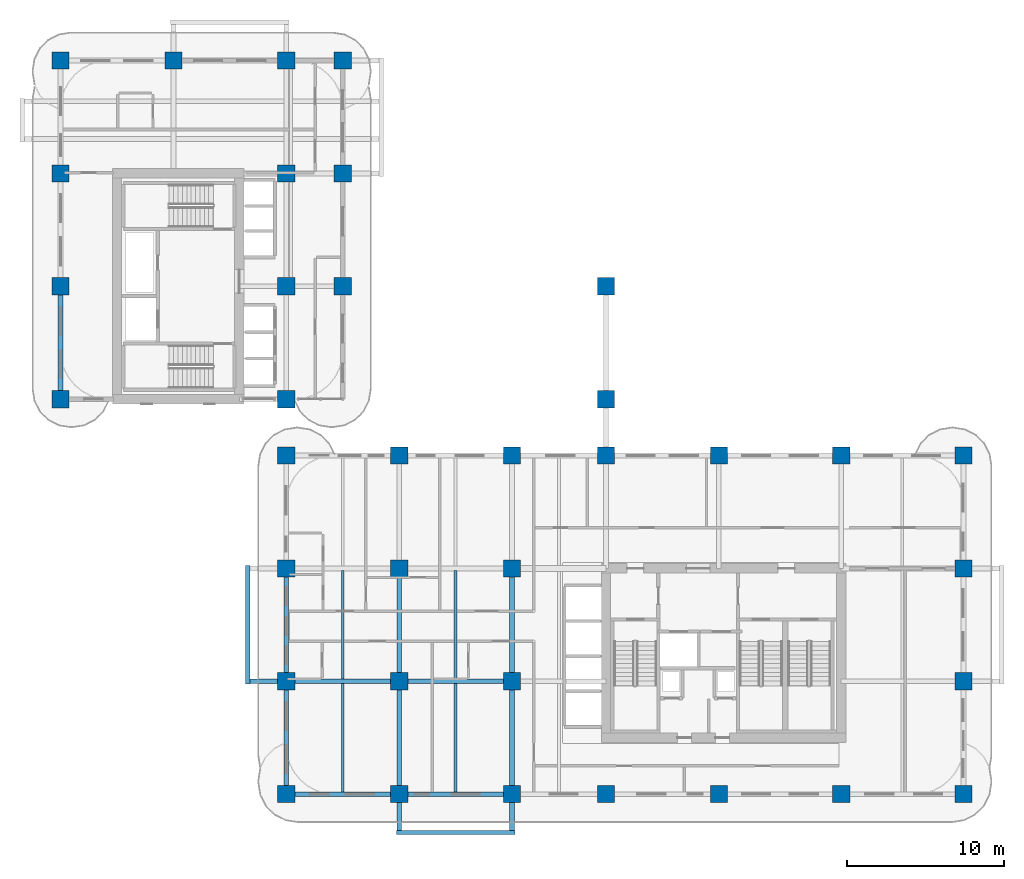
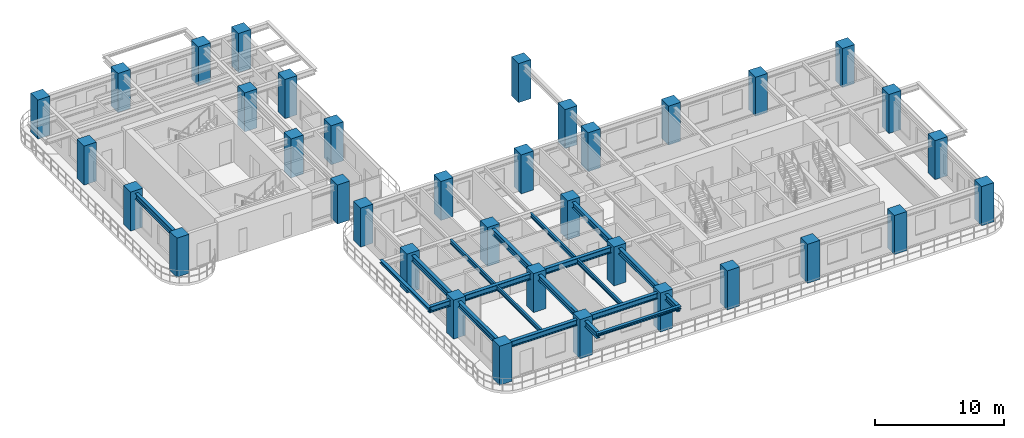
# One storey, part 1 of 19: 36 columns, 17 beams.
"""IFC4 building model written with IfcOpenShell, lengths in metres."""

from ifc_helpers import new_model, si_unit, derived_unit, direction, frame, origin, origin_2d, place, context, subcontext, project, spatial, rectangle, i_section, extrude, source, transform, mapped, material, material_profile, profile_set, type_object, type_shapes, element, save


model = new_model("IFC4")

# Units and contexts
model_context = context("Model", 3, precision=1e-05, world=origin(), true_north=direction((0.0, 1.0)))
body_context = subcontext(model_context, "Body", "Model", "MODEL_VIEW")
ifc_project = project(units=[si_unit("LENGTHUNIT", "METRE"), si_unit("AREAUNIT", "SQUARE_METRE"), si_unit("VOLUMEUNIT", "CUBIC_METRE"), si_unit("PLANEANGLEUNIT", "RADIAN"), si_unit("MASSUNIT", "GRAM", prefix="KILO"), si_unit("THERMODYNAMICTEMPERATUREUNIT", "KELVIN"), si_unit("POWERUNIT", "WATT"), derived_unit("THERMALTRANSMITTANCEUNIT", [(si_unit("POWERUNIT", "WATT"), 1), (si_unit("AREAUNIT", "SQUARE_METRE"), -1), (si_unit("THERMODYNAMICTEMPERATUREUNIT", "KELVIN"), -1)])], contexts=[model_context])

# Site, building, storey
site_placement = place(None, origin())
site = spatial("IfcSite", under=ifc_project, at=site_placement, CompositionType="ELEMENT")
building_placement = place(site_placement, origin())
building = spatial("IfcBuilding", under=site, at=building_placement, Name="Zahravan Archway Hotel and Residences", CompositionType="ELEMENT")
storey_placement = place(building_placement, frame((0.0, 0.0, 43.5)))
storey = spatial("IfcBuildingStorey", under=building, at=storey_placement, Name="L09", CompositionType="ELEMENT", Elevation=43.5)

# Columns
ifc_material_1 = material(Name="Concrete C70/85", Category="concrete")
ifc_material_profile_1 = material_profile(ifc_material_1, rectangle(XDim=1.10009765625, YDim=1.10009765625, at=origin_2d()), Name="RC 1100x1100", Category="concrete")
ifc_profile_set_1 = profile_set([ifc_material_profile_1], Name="Concrete C70/85")
column_type = type_object("IfcColumnType", Name="COL-RC-1100", PredefinedType="COLUMN", material=ifc_profile_set_1)
shared_shape_1 = source(origin(), body_context, "Body", "SweptSolid", [
    extrude(rectangle(XDim=1.10009765625, YDim=1.10009765625, at=origin_2d()), origin(), (0.0, 0.0, 1.0), 3.699951171875),
])
for number, where, z_axis, x_axis, name in (
    (1, (0.0, 25.199951171875, 0.0), (0.0, 0.0, 1.0), (1.0, 0.0, 0.0), "L09 Column 1-E"),
    (2, (0.0, 32.39990234375, 0.0), (0.0, 0.0, 1.0), (1.0, 0.0, 0.0), "L09 Column 1-F"),
    (3, (0.0, 39.60009765625, 0.0), (0.0, 0.0, 1.0), (1.0, 0.0, 0.0), "L09 Column 1-G"),
    (4, (0.0, 46.800048828125, 0.0), (0.0, 0.0, 1.0), (1.0, 0.0, 0.0), "L09 Column 1-H"),
    (5, (7.199951171875, 46.800048828125, 0.0), (0.0, 0.0, 1.0), (1.0, 0.0, 0.0), "L09 Column 2-H"),
    (6, (14.39990234375, 0.0, 0.0), (0.0, 0.0, 1.0), (1.0, 0.0, 0.0), "L09 Column 3-A"),
    (7, (14.39990234375, 7.199951171875, 0.0), (0.0, 0.0, 1.0), (1.0, 0.0, 0.0), "L09 Column 3-B"),
    (8, (14.39990234375, 14.39990234375, 0.0), (0.0, 0.0, 1.0), (1.0, 0.0, 0.0), "L09 Column 3-C"),
    (9, (14.39990234375, 21.60009765625, 0.0), (0.0, 0.0, 1.0), (1.0, 0.0, 0.0), "L09 Column 3-D"),
    (10, (14.39990234375, 25.199951171875, 0.0), (0.0, 0.0, 1.0), (1.0, 0.0, 0.0), "L09 Column 3-E"),
    (11, (14.39990234375, 32.39990234375, 0.0), (0.0, 0.0, 1.0), (1.0, 0.0, 0.0), "L09 Column 3-F"),
    (12, (14.39990234375, 39.60009765625, 0.0), (0.0, 0.0, 1.0), (1.0, 0.0, 0.0), "L09 Column 3-G"),
    (13, (14.39990234375, 46.800048828125, 0.0), (0.0, 0.0, 1.0), (1.0, 0.0, 0.0), "L09 Column 3-H"),
    (14, (21.60009765625, 0.0, 0.0), (0.0, 0.0, 1.0), (1.0, 0.0, 0.0), "L09 Column 4-A"),
    (15, (21.60009765625, 7.199951171875, 0.0), (0.0, 0.0, 1.0), (1.0, 0.0, 0.0), "L09 Column 4-B"),
    (16, (21.60009765625, 14.39990234375, 0.0), (0.0, 0.0, 1.0), (1.0, 0.0, 0.0), "L09 Column 4-C"),
    (17, (21.60009765625, 21.60009765625, 0.0), (0.0, 0.0, 1.0), (1.0, 0.0, 0.0), "L09 Column 4-D"),
    (18, (28.800048828125, 0.0, 0.0), (0.0, 0.0, 1.0), (1.0, 0.0, 0.0), "L09 Column 5-A"),
    (19, (28.800048828125, 7.199951171875, 0.0), (0.0, 0.0, 1.0), (1.0, 0.0, 0.0), "L09 Column 5-B"),
    (20, (28.800048828125, 14.39990234375, 0.0), (0.0, 0.0, 1.0), (1.0, 0.0, 0.0), "L09 Column 5-C"),
    (21, (28.800048828125, 21.60009765625, 0.0), (0.0, 0.0, 1.0), (1.0, 0.0, 0.0), "L09 Column 5-D"),
    (22, (34.800048828125, 0.0, 0.0), (0.0, 0.0, 1.0), (1.0, 0.0, 0.0), "L09 Column 6-A"),
    (23, (34.800048828125, 21.60009765625, 0.0), (0.0, 0.0, 1.0), (1.0, 0.0, 0.0), "L09 Column 6-D"),
    (24, (42.0, 0.0, 0.0), (0.0, 0.0, 1.0), (1.0, 0.0, 0.0), "L09 Column 7-A"),
    (25, (42.0, 21.60009765625, 0.0), (0.0, 0.0, 1.0), (1.0, 0.0, 0.0), "L09 Column 7-D"),
    (26, (49.800048828125, 0.0, 0.0), (0.0, 0.0, 1.0), (1.0, 0.0, 0.0), "L09 Column 8-A"),
    (27, (49.800048828125, 21.60009765625, 0.0), (0.0, 0.0, 1.0), (1.0, 0.0, 0.0), "L09 Column 8-D"),
    (28, (57.60009765625, 0.0, 0.0), (0.0, 0.0, 1.0), (1.0, 0.0, 0.0), "L09 Column 9-A"),
    (29, (57.60009765625, 7.199951171875, 0.0), (0.0, 0.0, 1.0), (1.0, 0.0, 0.0), "L09 Column 9-B"),
    (30, (57.60009765625, 14.39990234375, 0.0), (0.0, 0.0, 1.0), (1.0, 0.0, 0.0), "L09 Column 9-C"),
    (31, (57.60009765625, 21.60009765625, 0.0), (0.0, 0.0, 1.0), (1.0, 0.0, 0.0), "L09 Column 9-D"),
    (32, (18.0, 32.39990234375, 0.0), (0.0, 0.0, 1.0), (1.0, 0.0, 0.0), "L09 Column 3B-F"),
    (33, (18.0, 39.60009765625, 0.0), (0.0, 0.0, 1.0), (1.0, 0.0, 0.0), "L09 Column 3B-G"),
    (34, (18.0, 46.800048828125, 0.0), (0.0, 0.0, 1.0), (1.0, 0.0, 0.0), "L09 Column 3B-H"),
    (35, (34.800048828125, 25.199951171875, 0.0), (0.0, 0.0, 1.0), (1.0, 0.0, 0.0), "L09 Column 6-E"),
    (36, (34.800048828125, 32.39990234375, 0.0), (0.0, 0.0, 1.0), (1.0, 0.0, 0.0), "L09 Column 6-F"),
):
    element("IfcColumn", number, at=place(storey_placement, frame(where, z_axis=z_axis, x_axis=x_axis)), inside=storey, type_object=column_type, Name=name, PredefinedType="COLUMN", context=body_context, shape_type="MappedRepresentation", body=[
        mapped(shared_shape_1, transform((0.0, 0.0, 0.0), scale=1.0)),
    ])

# Beams
ifc_material_2 = material(Name="Structural Steel S355JR", Category="steel")
ifc_material_profile_2 = material_profile(ifc_material_2, i_section(OverallWidth=0.280029296875, OverallDepth=0.280029296875, WebThickness=0.010498046875, FlangeThickness=0.01806640625, FilletRadius=0.02392578125, at=origin_2d()), Name="HEB 280", Category="steel")
ifc_profile_set_2 = profile_set([ifc_material_profile_2], Name="Structural Steel S355JR")
beam_type_1 = type_object("IfcBeamType", Name="BM-SPN-HEB280", PredefinedType="SPANDREL", material=ifc_profile_set_2)
shared_shape_2 = source(origin(), body_context, "Body", "SweptSolid", [
    extrude(i_section(OverallWidth=0.280029296875, OverallDepth=0.280029296875, WebThickness=0.010498046875, FlangeThickness=0.01806640625, FilletRadius=0.02392578125, at=origin_2d()), origin(), (0.0, 0.0, 1.0), 7.56005859375),
])
type_shapes(beam_type_1, [shared_shape_2])
for number, where, z_axis, x_axis, name in (
    (37, (11.949951171875, 7.02001953125, 3.31005859375), (0.0, 1.0, 0.0), (-1.0, 0.0, 0.0), "L10 WA Balcony Edge Spandrel"),
    (38, (21.419921875, -2.449951171875, 3.31005859375), (1.0, 0.0, 0.0), (0.0, 1.0, 0.0), "L10 SA Balcony Edge Spandrel"),
):
    element("IfcBeam", number, at=place(storey_placement, frame(where, z_axis=z_axis, x_axis=x_axis)), inside=storey, type_object=beam_type_1, Name=name, PredefinedType="SPANDREL", context=body_context, shape_type="MappedRepresentation", body=[
        mapped(shared_shape_2, transform((0.0, 0.0, 0.0), scale=1.0)),
    ])
ifc_material_profile_3 = material_profile(ifc_material_2, i_section(OverallWidth=0.300048828125, OverallDepth=0.550048828125, WebThickness=0.014892578125, FlangeThickness=0.029052734375, FilletRadius=0.027099609375, at=origin_2d()), Name="HEB 550", Category="steel")
ifc_profile_set_3 = profile_set([ifc_material_profile_3], Name="Structural Steel S355JR")
beam_type_2 = type_object("IfcBeamType", Name="BM-PRI-HEB550", PredefinedType="BEAM", material=ifc_profile_set_3)
shared_shape_3 = source(origin(), body_context, "Body", "SweptSolid", [
    extrude(i_section(OverallWidth=0.300048828125, OverallDepth=0.550048828125, WebThickness=0.014892578125, FlangeThickness=0.029052734375, FilletRadius=0.027099609375, at=origin_2d()), origin(), (0.0, 0.0, 1.0), 7.2001953125),
])
type_shapes(beam_type_2, [shared_shape_3])
beam_1_placement = place(storey_placement, frame((14.39990234375, 0.0, 3.175048828125), z_axis=(1.0, 0.0, 0.0), x_axis=(0.0, 1.0, 0.0)))
element("IfcBeam", 39, at=beam_1_placement, inside=storey, type_object=beam_type_2, Name="L09 Primary Girder EW-01", PredefinedType="BEAM", context=body_context, shape_type="MappedRepresentation", body=[
    mapped(shared_shape_3, transform((0.0, 0.0, 0.0), scale=1.0)),
])
shared_shape_4 = source(origin(), body_context, "Body", "SweptSolid", [
    extrude(i_section(OverallWidth=0.300048828125, OverallDepth=0.550048828125, WebThickness=0.014892578125, FlangeThickness=0.029052734375, FilletRadius=0.027099609375, at=origin_2d()), origin(), (0.0, 0.0, 1.0), 7.199951171875),
])
for number, where, z_axis, x_axis, name in (
    (40, (21.60009765625, 0.0, 3.175048828125), (1.0, 0.0, 0.0), (0.0, 1.0, 0.0), "L09 Primary Girder EW-02"),
    (41, (21.60009765625, 7.199951171875, 3.175048828125), (1.0, 0.0, 0.0), (0.0, 1.0, 0.0), "L09 Primary Girder EW-08"),
    (42, (0.0, 25.199951171875, 3.175048828125), (0.0, 1.0, 0.0), (-1.0, 0.0, 0.0), "L09 Primary Girder NS-27"),
    (43, (14.39990234375, 0.0, 3.175048828125), (0.0, 1.0, 0.0), (-1.0, 0.0, 0.0), "L09 Primary Girder NS-31"),
    (44, (14.39990234375, 7.199951171875, 3.175048828125), (0.0, 1.0, 0.0), (-1.0, 0.0, 0.0), "L09 Primary Girder NS-32"),
    (45, (21.60009765625, 7.199951171875, 3.175048828125), (0.0, 1.0, 0.0), (-1.0, 0.0, 0.0), "L09 Primary Girder NS-38"),
    (46, (28.800048828125, 7.199951171875, 3.175048828125), (0.0, 1.0, 0.0), (-1.0, 0.0, 0.0), "L09 Primary Girder NS-41"),
):
    element("IfcBeam", number, at=place(storey_placement, frame(where, z_axis=z_axis, x_axis=x_axis)), inside=storey, type_object=beam_type_2, Name=name, PredefinedType="BEAM", context=body_context, shape_type="MappedRepresentation", body=[
        mapped(shared_shape_4, transform((0.0, 0.0, 0.0), scale=1.0)),
    ])
ifc_material_profile_4 = material_profile(ifc_material_2, i_section(OverallWidth=0.179931640625, OverallDepth=0.39990234375, WebThickness=0.008544921875, FlangeThickness=0.013427734375, FilletRadius=0.02099609375, at=origin_2d()), Name="IPE 400", Category="steel")
ifc_profile_set_4 = profile_set([ifc_material_profile_4], Name="Structural Steel S355JR")
beam_type_3 = type_object("IfcBeamType", Name="BM-JST-IPE400", PredefinedType="JOIST", material=ifc_profile_set_4)
shared_shape_5 = source(origin(), body_context, "Body", "SweptSolid", [
    extrude(i_section(OverallWidth=0.179931640625, OverallDepth=0.39990234375, WebThickness=0.008544921875, FlangeThickness=0.013427734375, FilletRadius=0.02099609375, at=origin_2d()), origin(), (0.0, 0.0, 1.0), 6.904052734375),
])
type_shapes(beam_type_3, [shared_shape_5])
for number, where, z_axis, x_axis, name in (
    (47, (18.0, 0.14794921875, 3.25), (0.0, 1.0, 0.0), (-1.0, 0.0, 0.0), "L09 Composite Floor Joist 01"),
    (48, (25.199951171875, 0.14794921875, 3.25), (0.0, 1.0, 0.0), (-1.0, 0.0, 0.0), "L09 Composite Floor Joist 02"),
    (49, (18.0, 7.347900390625, 3.25), (0.0, 1.0, 0.0), (-1.0, 0.0, 0.0), "L09 Composite Floor Joist 05"),
    (50, (25.199951171875, 7.347900390625, 3.25), (0.0, 1.0, 0.0), (-1.0, 0.0, 0.0), "L09 Composite Floor Joist 06"),
):
    element("IfcBeam", number, at=place(storey_placement, frame(where, z_axis=z_axis, x_axis=x_axis)), inside=storey, type_object=beam_type_3, Name=name, PredefinedType="JOIST", context=body_context, shape_type="MappedRepresentation", body=[
        mapped(shared_shape_5, transform((0.0, 0.0, 0.0), scale=1.0)),
    ])
shared_shape_6 = source(origin(), body_context, "Body", "SweptSolid", [
    extrude(i_section(OverallWidth=0.300048828125, OverallDepth=0.550048828125, WebThickness=0.014892578125, FlangeThickness=0.029052734375, FilletRadius=0.027099609375, at=origin_2d()), origin(), (0.0, 0.0, 1.0), 9.650146484375),
])
beam_2_placement = place(storey_placement, frame((11.949951171875, 7.199951171875, 3.175048828125), z_axis=(1.0, 0.0, 0.0), x_axis=(0.0, 1.0, 0.0)))
element("IfcBeam", 51, at=beam_2_placement, inside=storey, type_object=beam_type_2, Name="L09 Primary Girder EW-07", PredefinedType="BEAM", context=body_context, shape_type="MappedRepresentation", body=[
    mapped(shared_shape_6, transform((0.0, 0.0, 0.0), scale=1.0)),
])
shared_shape_7 = source(origin(), body_context, "Body", "SweptSolid", [
    extrude(i_section(OverallWidth=0.300048828125, OverallDepth=0.550048828125, WebThickness=0.014892578125, FlangeThickness=0.029052734375, FilletRadius=0.027099609375, at=origin_2d()), origin(), (0.0, 0.0, 1.0), 9.64990234375),
])
for number, where, z_axis, x_axis, name in (
    (52, (21.60009765625, -2.449951171875, 3.175048828125), (0.0, 1.0, 0.0), (-1.0, 0.0, 0.0), "L09 Primary Girder NS-37"),
    (53, (28.800048828125, -2.449951171875, 3.175048828125), (0.0, 1.0, 0.0), (-1.0, 0.0, 0.0), "L09 Primary Girder NS-40"),
):
    element("IfcBeam", number, at=place(storey_placement, frame(where, z_axis=z_axis, x_axis=x_axis)), inside=storey, type_object=beam_type_2, Name=name, PredefinedType="BEAM", context=body_context, shape_type="MappedRepresentation", body=[
        mapped(shared_shape_7, transform((0.0, 0.0, 0.0), scale=1.0)),
    ])

save(model, "model.ifc")
